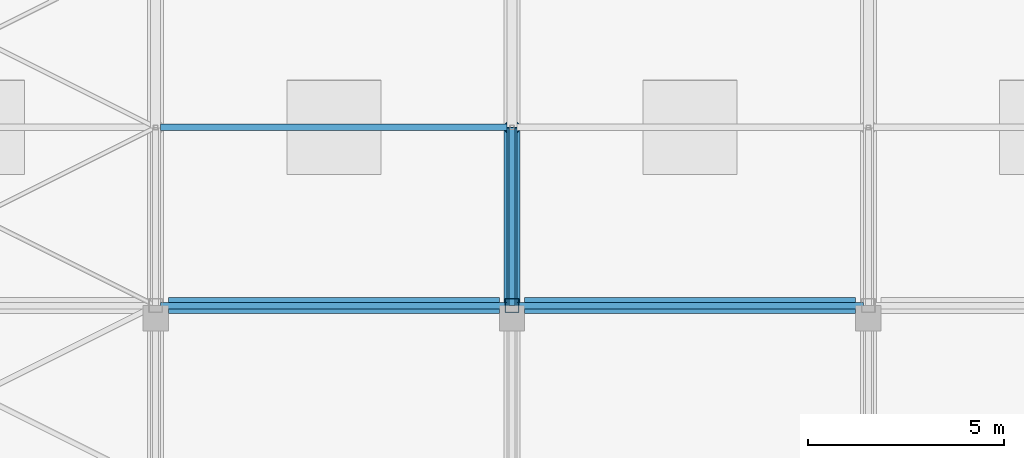
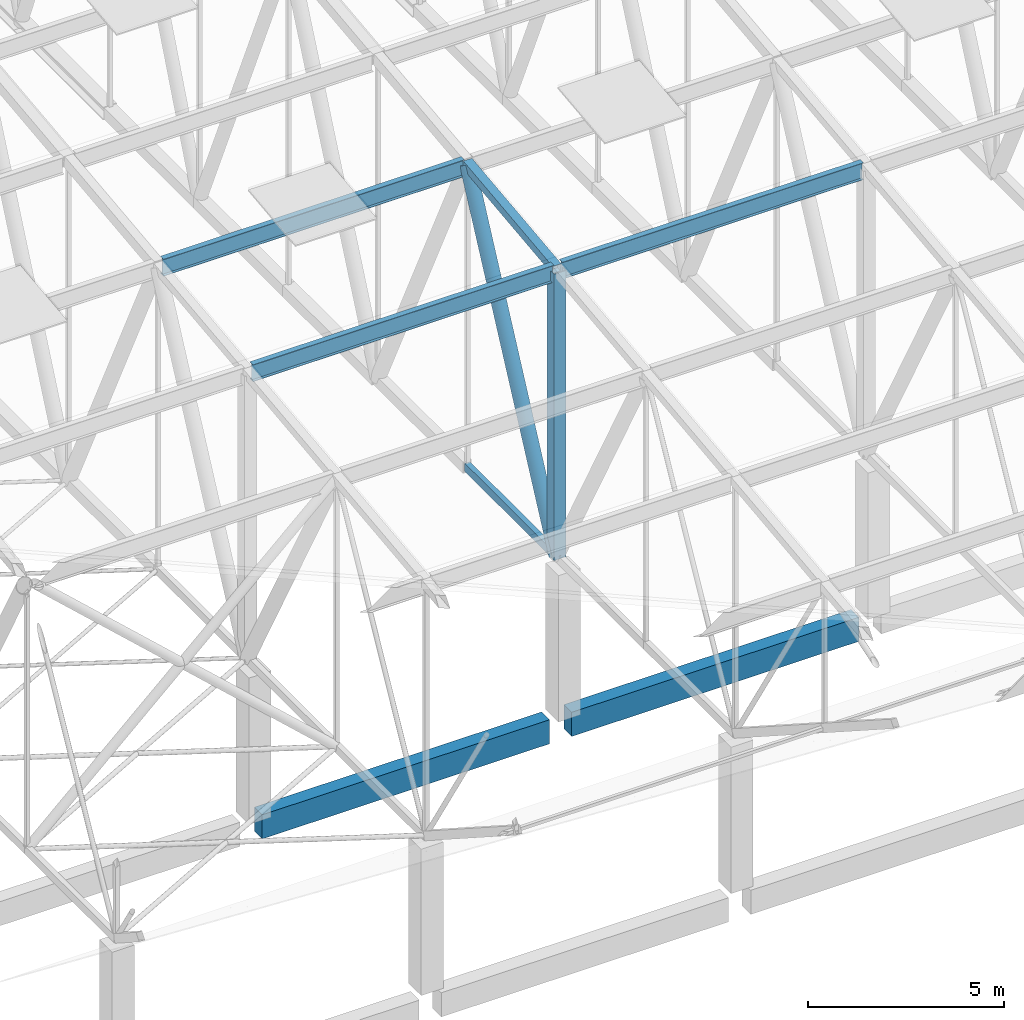
# One storey, part 102 of 500: 7 members, 2 beams.
"""IFC4 building model written with IfcOpenShell, lengths in metres."""

import ifcopenshell
import ifcopenshell.guid

model = None  # the IFC model being written
_history = None  # IfcOwnerHistory: only IFC2X3 demands one
_inside = {}  # id of a spatial element -> (the spatial element, [elements in it])
_under = {}  # id of a project, library or spatial element -> (it, [spatial elements below it])
_declared = {}  # id of a project -> (the project, [libraries it declares])
_typed = {}  # id of a type object -> (the type object, [elements of that type])
_made_of = {}  # id of a material, layer set ... -> (it, [elements and type objects made of it])


def new_model(schema):
    """Start an empty IFC model of exactly this schema.

    Asked for "IFC4X3", IfcOpenShell would pick the latest addendum, in which some entities
    have other attributes; the version numbers below select the first issue.
    IFC2X3 requires an IfcOwnerHistory on every rooted entity: one is made here for all.
    """
    global model, _history
    if schema == "IFC4X3":
        model = ifcopenshell.file(schema_version=(4, 3, 0, 0))
    else:
        model = ifcopenshell.file(schema=schema)
    _inside.clear()
    _under.clear()
    _declared.clear()
    _typed.clear()
    _made_of.clear()
    _history = None
    if model.schema == "IFC2X3":
        org = make("IfcOrganization", Name="unknown")
        user = make(
            "IfcPersonAndOrganization",
            ThePerson=make("IfcPerson", FamilyName="unknown"),
            TheOrganization=org,
        )
        app = make(
            "IfcApplication",
            ApplicationDeveloper=org,
            Version="unknown",
            ApplicationFullName="unknown",
            ApplicationIdentifier="unknown",
        )
        _history = make(
            "IfcOwnerHistory",
            OwningUser=user,
            OwningApplication=app,
            ChangeAction="ADDED",
            CreationDate=0,
        )
    return model


def make(cls, **values):
    """One entity of the class cls with the attributes given. An attribute that is None is left unset."""
    return model.create_entity(
        cls, **{name: value for name, value in values.items() if value is not None}
    )


def rooted(cls, **values):
    """An entity with a GlobalId (a new one), such as an element, a storey or a relation."""
    return make(cls, GlobalId=ifcopenshell.guid.new(), OwnerHistory=_history, **values)


def si_unit(unit_type, name, prefix=None):
    """IfcSIUnit, for example si_unit("LENGTHUNIT", "METRE", prefix="MILLI")."""
    return make("IfcSIUnit", UnitType=unit_type, Prefix=prefix, Name=name)


def assignment(units):
    """IfcUnitAssignment: the units of a project."""
    return None if units is None else make("IfcUnitAssignment", Units=units)


def point(xyz):
    """IfcCartesianPoint."""
    return None if xyz is None else make("IfcCartesianPoint", Coordinates=xyz)


def direction(xyz):
    """IfcDirection."""
    return None if xyz is None else make("IfcDirection", DirectionRatios=xyz)


def frame(location, z_axis=None, x_axis=None):
    """IfcAxis2Placement3D, a coordinate frame: its origin and axes. An axis left out is left unset."""
    return make(
        "IfcAxis2Placement3D",
        Location=point(location),
        Axis=direction(z_axis),
        RefDirection=direction(x_axis),
    )


def frame_2d(location, x_axis=None):
    """IfcAxis2Placement2D, a coordinate frame in the plane: its origin and x axis."""
    return make(
        "IfcAxis2Placement2D", Location=point(location), RefDirection=direction(x_axis)
    )


def origin():
    """The frame at (0, 0, 0) with its axes left unset."""
    return frame((0.0, 0.0, 0.0))


def origin_2d():
    """The frame at (0, 0) in the plane with its x axis left unset."""
    return frame_2d((0.0, 0.0))


def place(relative_to, where):
    """IfcLocalPlacement: puts the frame where relative to a parent placement (None: the world)."""
    return make(
        "IfcLocalPlacement", PlacementRelTo=relative_to, RelativePlacement=where
    )


def context(
    kind, dimensions, precision=None, world=None, true_north=None, identifier=None
):
    """IfcGeometricRepresentationContext, for example the 3D "Model" context."""
    return make(
        "IfcGeometricRepresentationContext",
        ContextIdentifier=identifier,
        ContextType=kind,
        CoordinateSpaceDimension=dimensions,
        Precision=precision,
        WorldCoordinateSystem=world,
        TrueNorth=true_north,
    )


def subcontext(parent, identifier, kind, view, scale=None):
    """IfcGeometricRepresentationSubContext, for example "Body" below "Model"."""
    return make(
        "IfcGeometricRepresentationSubContext",
        ContextIdentifier=identifier,
        ContextType=kind,
        ParentContext=parent,
        TargetScale=scale,
        TargetView=view,
    )


def project(units=None, contexts=None):
    """IfcProject with its units and contexts."""
    return rooted(
        "IfcProject",
        Name="project",
        RepresentationContexts=contexts,
        UnitsInContext=assignment(units),
    )


def spatial(cls, under=None, at=None, **own):
    """A site, building, storey or space (cls), placed at a placement, below another one or the project."""
    s = rooted(cls, ObjectPlacement=at, **own)
    if under is not None:
        _under.setdefault(under.id(), (under, []))[1].append(s)
    return s


def profile(cls, at=None, kind="AREA", **sizes):
    """A parametric profile (cls). Its sizes go by their IFC names, for example OverallWidth=200.0."""
    return make(cls, ProfileType=kind, Position=at, **sizes)


def rectangle(**sizes):
    """IfcRectangleProfileDef."""
    return profile("IfcRectangleProfileDef", **sizes)


def hollow_rectangle(**sizes):
    """IfcRectangleHollowProfileDef."""
    return profile("IfcRectangleHollowProfileDef", **sizes)


def hollow_circle(**sizes):
    """IfcCircleHollowProfileDef."""
    return profile("IfcCircleHollowProfileDef", **sizes)


def i_section(**sizes):
    """IfcIShapeProfileDef."""
    return profile("IfcIShapeProfileDef", **sizes)


def extrude(swept, where, along, depth):
    """IfcExtrudedAreaSolid: the profile swept, set in the frame where, extruded along a direction by depth."""
    return make(
        "IfcExtrudedAreaSolid",
        SweptArea=swept,
        Position=where,
        ExtrudedDirection=direction(along),
        Depth=depth,
    )


def shape(context_of_items, identifier, shape_type, items):
    """IfcShapeRepresentation: the items that make up one representation, for example the "Body"."""
    return make(
        "IfcShapeRepresentation",
        ContextOfItems=context_of_items,
        RepresentationIdentifier=identifier,
        RepresentationType=shape_type,
        Items=items,
    )


def material(Name=None, Category=None):
    """IfcMaterial."""
    return make("IfcMaterial", Name=Name, Category=Category)


def material_profile(
    of_material, cross_section, Name=None, Category=None, Priority=None
):
    """IfcMaterialProfile: a cross section and its material."""
    return make(
        "IfcMaterialProfile",
        Name=Name,
        Material=of_material,
        Profile=cross_section,
        Priority=Priority,
        Category=Category,
    )


def profile_set(profiles, Name=None, composite=None):
    """IfcMaterialProfileSet."""
    return make(
        "IfcMaterialProfileSet",
        Name=Name,
        MaterialProfiles=profiles,
        CompositeProfile=composite,
    )


def made_of(thing, what):
    """Note that an element or type object is made of a material, layer set ...; save() writes the relation."""
    if what is not None:
        _made_of.setdefault(what.id(), (what, []))[1].append(thing)
    return thing


def type_object(cls, material=None, **own):
    """A type object (cls), such as IfcWallType, which elements share."""
    return made_of(rooted(cls, **own), material)


def element(
    cls,
    number,
    at=None,
    inside=None,
    cuts=None,
    type_object=None,
    material=None,
    context=None,
    identifier="Body",
    shape_type=None,
    held_by="IfcProductDefinitionShape",
    body=None,
    shapes=None,
    **own,
):
    """One element of the class cls, such as IfcWall. Its Tag is "e" and its number.

    at: its placement. inside: the storey or other place that contains it. cuts: it is an
    opening in that element (IfcRelVoidsElement). A single representation is given by context,
    identifier, shape_type and body (its items); several are given by shapes. held_by: the class
    of the entity that holds the representations. save() writes the other relations.
    """
    e = rooted(cls, Tag="e%d" % number, ObjectPlacement=at, **own)
    if body is not None:
        shapes = [shape(context, identifier, shape_type, body)]
    if shapes is not None:
        e.Representation = make(held_by, Representations=shapes)
    if inside is not None:
        _inside.setdefault(inside.id(), (inside, []))[1].append(e)
    if cuts is not None:
        rooted(
            "IfcRelVoidsElement", RelatingBuildingElement=cuts, RelatedOpeningElement=e
        )
    if type_object is not None:
        _typed.setdefault(type_object.id(), (type_object, []))[1].append(e)
    return made_of(e, material)


def aggregate(whole, parts):
    """IfcRelAggregates: a whole, such as a stair, and the parts it consists of."""
    return rooted("IfcRelAggregates", RelatingObject=whole, RelatedObjects=parts)


def save(model, path):
    """Write the relations noted so far, then the file.

    IfcRelAggregates (storeys below a building ...), IfcRelContainedInSpatialStructure (elements
    in a storey), IfcRelDefinesByType, IfcRelAssociatesMaterial and IfcRelDeclares: one each for
    every whole, place, type object, material and project.
    """
    for whole, parts in _under.values():
        aggregate(whole, parts)
    for where, things in _inside.values():
        rooted(
            "IfcRelContainedInSpatialStructure",
            RelatedElements=things,
            RelatingStructure=where,
        )
    for kind, things in _typed.values():
        rooted("IfcRelDefinesByType", RelatedObjects=things, RelatingType=kind)
    for what, things in _made_of.values():
        rooted("IfcRelAssociatesMaterial", RelatedObjects=things, RelatingMaterial=what)
    for by, libraries in _declared.values():
        rooted("IfcRelDeclares", RelatingContext=by, RelatedDefinitions=libraries)
    model.write(path)


model = new_model("IFC4")

# Units and contexts
model_context = context("Model", 3, precision=1e-05, world=origin(), true_north=direction((0.0, 1.0)))
body_context = subcontext(model_context, "Body", "Model", "MODEL_VIEW")
ifc_project = project(units=[si_unit("LENGTHUNIT", "METRE"), si_unit("AREAUNIT", "SQUARE_METRE"), si_unit("VOLUMEUNIT", "CUBIC_METRE"), si_unit("PLANEANGLEUNIT", "RADIAN"), si_unit("MASSUNIT", "GRAM", prefix="KILO")], contexts=[model_context])

# Site, building, storey
site_placement = place(None, origin())
site = spatial("IfcSite", under=ifc_project, at=site_placement, CompositionType="ELEMENT")
building_placement = place(site_placement, origin())
building = spatial("IfcBuilding", under=site, at=building_placement, Name="Shirokan Park Arena", CompositionType="ELEMENT")
storey_placement = place(building_placement, frame((0.0, 0.0, 29.1201171875)))
storey = spatial("IfcBuildingStorey", under=building, at=storey_placement, Name="L06", CompositionType="ELEMENT", Elevation=29.1201171875)

# Members
ifc_material_1 = material(Name="Steel ASTM A500 Grade C", Category="steel")
ifc_material_profile_1 = material_profile(ifc_material_1, hollow_rectangle(XDim=0.152099609375, YDim=0.25390625, WallThickness=0.015869140625, at=origin_2d()), Name="HSS254X152.4X15.9")
ifc_profile_set_1 = profile_set([ifc_material_profile_1], Name="Steel ASTM A500 Grade C")
member_type_1 = type_object("IfcMemberType", Name="Bottom chord HSS254X152.4X15.9", PredefinedType="CHORD", material=ifc_profile_set_1)
member_1_placement = place(storey_placement, frame((63.699951171875, 9.10009765625, 4.677001953125), z_axis=(0.0, 1.0, 0.0), x_axis=(-1.0, 0.0, 0.0)))
element("IfcMember", 1, at=member_1_placement, inside=storey, type_object=member_type_1, Name="Truss T08 bottom chord 5", PredefinedType="CHORD", context=body_context, shape_type="SweptSolid", body=[
    extrude(hollow_rectangle(XDim=0.152099609375, YDim=0.25390625, WallThickness=0.015869140625, at=origin_2d()), origin(), (0.0, 0.0, 1.0), 4.5498046875),
])
ifc_material_2 = material(Name="Steel ASTM A992", Category="steel")
ifc_material_profile_2 = material_profile(ifc_material_2, i_section(OverallWidth=0.166015625, OverallDepth=0.528076171875, WebThickness=0.009765625, FlangeThickness=0.013671875, at=origin_2d()), Name="W530X74")
ifc_profile_set_2 = profile_set([ifc_material_profile_2], Name="Steel ASTM A992")
member_type_2 = type_object("IfcMemberType", Name="Purlin W530X74", PredefinedType="PURLIN", material=ifc_profile_set_2)
member_2_placement = place(storey_placement, frame((54.72705078125, 9.10009765625, 13.52587890625), z_axis=(1.0, 0.0, 0.0), x_axis=(0.0, 1.0, 0.0)))
element("IfcMember", 2, at=member_2_placement, inside=storey, type_object=member_type_2, Name="Purlin 5 bay 7", PredefinedType="PURLIN", context=body_context, shape_type="SweptSolid", body=[
    extrude(i_section(OverallWidth=0.166015625, OverallDepth=0.528076171875, WebThickness=0.009765625, FlangeThickness=0.013671875, at=origin_2d()), origin(), (0.0, 0.0, 1.0), 8.845947265625),
])
member_3_placement = place(storey_placement, frame((63.826904296875, 9.10009765625, 13.52587890625), z_axis=(1.0, 0.0, 0.0), x_axis=(0.0, 1.0, 0.0)))
element("IfcMember", 3, at=member_3_placement, inside=storey, type_object=member_type_2, Name="Purlin 5 bay 8", PredefinedType="PURLIN", context=body_context, shape_type="SweptSolid", body=[
    extrude(i_section(OverallWidth=0.166015625, OverallDepth=0.528076171875, WebThickness=0.009765625, FlangeThickness=0.013671875, at=origin_2d()), origin(), (0.0, 0.0, 1.0), 8.84619140625),
])
member_4_placement = place(storey_placement, frame((54.72705078125, 13.64990234375, 14.0458984375), z_axis=(1.0, 0.0, 0.0), x_axis=(0.0, 1.0, 0.0)))
element("IfcMember", 4, at=member_4_placement, inside=storey, type_object=member_type_2, Name="Purlin 6 bay 7", PredefinedType="PURLIN", context=body_context, shape_type="SweptSolid", body=[
    extrude(i_section(OverallWidth=0.166015625, OverallDepth=0.528076171875, WebThickness=0.009765625, FlangeThickness=0.013671875, at=origin_2d()), origin(), (0.0, 0.0, 1.0), 8.845947265625),
])

# Beams
ifc_material_3 = material(Name="Concrete C35", Category="concrete")
ifc_material_profile_3 = material_profile(ifc_material_3, rectangle(XDim=0.39990234375, YDim=0.75, at=origin_2d()), Name="400x750")
ifc_profile_set_3 = profile_set([ifc_material_profile_3], Name="Concrete C35")
beam_type = type_object("IfcBeamType", Name="RC girder 400x750", PredefinedType="BEAM", material=ifc_profile_set_3)
beam_1_placement = place(storey_placement, frame((54.925048828125, 9.10009765625, -0.5751953125), z_axis=(1.0, 0.0, 0.0), x_axis=(0.0, 1.0, 0.0)))
element("IfcBeam", 5, at=beam_1_placement, inside=storey, type_object=beam_type, Name="Girder 7B-8B L06", PredefinedType="BEAM", context=body_context, shape_type="SweptSolid", body=[
    extrude(rectangle(XDim=0.39990234375, YDim=0.75, at=origin_2d()), origin(), (0.0, 0.0, 1.0), 8.449951171875),
])
beam_2_placement = place(storey_placement, frame((64.025146484375, 9.10009765625, -0.5751953125), z_axis=(1.0, 0.0, 0.0), x_axis=(0.0, 1.0, 0.0)))
element("IfcBeam", 6, at=beam_2_placement, inside=storey, type_object=beam_type, Name="Girder 8B-9B L06", PredefinedType="BEAM", context=body_context, shape_type="SweptSolid", body=[
    extrude(rectangle(XDim=0.39990234375, YDim=0.75, at=origin_2d()), origin(), (0.0, 0.0, 1.0), 8.44970703125),
])

# Members
ifc_material_profile_4 = material_profile(ifc_material_1, hollow_rectangle(XDim=0.25390625, YDim=0.25390625, WallThickness=0.009521484375, at=origin_2d()), Name="HSS254X254X9.5")
ifc_profile_set_4 = profile_set([ifc_material_profile_4], Name="Steel ASTM A500 Grade C")
member_type_3 = type_object("IfcMemberType", Name="Top chord HSS254X254X9.5", PredefinedType="CHORD", material=ifc_profile_set_4)
member_5_placement = place(storey_placement, frame((63.699951171875, 9.10009765625, 13.581298828125), z_axis=(0.0, 0.993531641592, 0.11355561261), x_axis=(-1.0, 0.0, 0.0)))
element("IfcMember", 7, at=member_5_placement, inside=storey, type_object=member_type_3, Name="Truss T08 top chord 5", PredefinedType="CHORD", context=body_context, shape_type="SweptSolid", body=[
    extrude(hollow_rectangle(XDim=0.25390625, YDim=0.25390625, WallThickness=0.009521484375, at=origin_2d()), origin(), (0.0, 0.0, 1.0), 4.579345703125),
])
ifc_material_profile_5 = material_profile(ifc_material_1, hollow_circle(Radius=0.202880859375, WallThickness=0.015869140625, at=origin_2d()), Name="HSS406.4X15.9")
ifc_profile_set_5 = profile_set([ifc_material_profile_5], Name="Steel ASTM A500 Grade C")
member_type_4 = type_object("IfcMemberType", Name="Truss diagonal HSS406.4X15.9", PredefinedType="BRACE", material=ifc_profile_set_5)
member_6_placement = place(storey_placement, frame((63.699951171875, 9.10009765625, 4.677001953125), z_axis=(0.0, 0.434759504242, 0.900546597057), x_axis=(-1.0, 0.0, 0.0)))
element("IfcMember", 8, at=member_6_placement, inside=storey, type_object=member_type_4, Name="Truss T08 diagonal 5", PredefinedType="BRACE", context=body_context, shape_type="SweptSolid", body=[
    extrude(hollow_circle(Radius=0.202880859375, WallThickness=0.015869140625, at=origin_2d()), origin(), (0.0, 0.0, 1.0), 10.465087890625),
])
ifc_material_profile_6 = material_profile(ifc_material_1, hollow_rectangle(XDim=0.35595703125, YDim=0.35595703125, WallThickness=0.015869140625, at=origin_2d()), Name="HSS355.6X355.6X15.9")
ifc_profile_set_6 = profile_set([ifc_material_profile_6], Name="Steel ASTM A500 Grade C")
member_type_5 = type_object("IfcMemberType", Name="Truss post HSS355.6X355.6X15.9", PredefinedType="POST", material=ifc_profile_set_6)
member_7_placement = place(storey_placement, frame((63.699951171875, 9.10009765625, 4.677001953125), z_axis=(0.0, 0.0, 1.0), x_axis=(1.0, 0.0, 0.0)))
element("IfcMember", 9, at=member_7_placement, inside=storey, type_object=member_type_5, Name="Truss T08 post 5", PredefinedType="POST", context=body_context, shape_type="SweptSolid", body=[
    extrude(hollow_rectangle(XDim=0.35595703125, YDim=0.35595703125, WallThickness=0.015869140625, at=origin_2d()), origin(), (0.0, 0.0, 1.0), 8.904296875),
])

save(model, "model.ifc")
